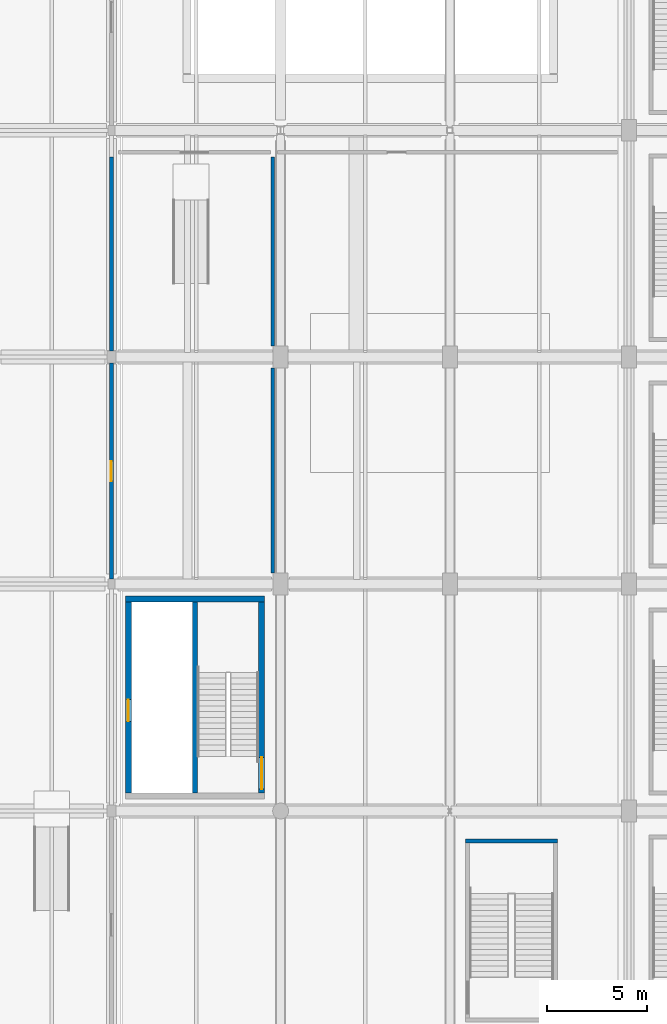
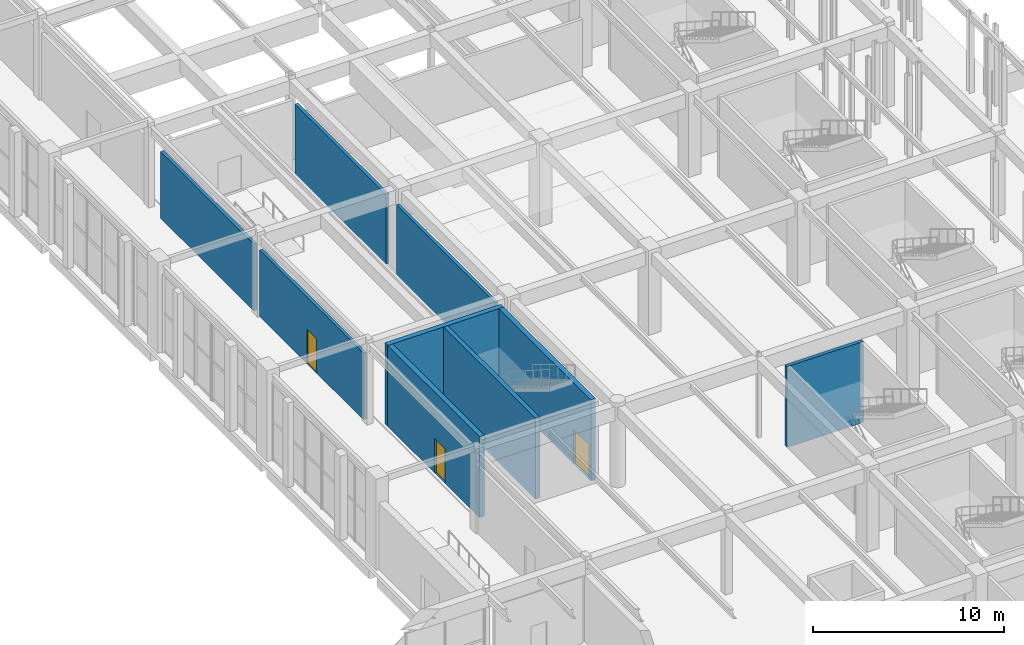
# One storey, part 87 of 113: 9 walls, 3 doors, 3 openings.
"""IFC4 building model written with IfcOpenShell, lengths in metres."""

from ifc_helpers import new_model, si_unit, direction, frame, frame_2d, origin, place, context, subcontext, project, spatial, rectangle, extrude, material, layer, layer_set, type_object, element, fill, save


model = new_model("IFC4")

# Units and contexts
model_context = context("Model", 3, precision=1e-05, world=origin(), true_north=direction((0.0, 1.0)))
body_context = subcontext(model_context, "Body", "Model", "MODEL_VIEW")
ifc_project = project(units=[si_unit("LENGTHUNIT", "METRE"), si_unit("AREAUNIT", "SQUARE_METRE"), si_unit("VOLUMEUNIT", "CUBIC_METRE"), si_unit("PLANEANGLEUNIT", "RADIAN"), si_unit("MASSUNIT", "GRAM", prefix="KILO"), si_unit("POWERUNIT", "WATT"), si_unit("THERMODYNAMICTEMPERATUREUNIT", "KELVIN")], contexts=[model_context])

# Site, building, storey
site_placement = place(None, origin())
site = spatial("IfcSite", under=ifc_project, at=site_placement, CompositionType="ELEMENT")
building_placement = place(site_placement, origin())
building = spatial("IfcBuilding", under=site, at=building_placement, Name="Kelmbourne Parkland Aquatics Centre", CompositionType="ELEMENT")
storey_placement = place(building_placement, origin())
storey = spatial("IfcBuildingStorey", under=building, at=storey_placement, Name="L00", CompositionType="ELEMENT", Elevation=0.0)

# Walls
ifc_material_1 = material(Name="Concrete C40/50", Category="concrete")
ifc_layer_1 = layer(ifc_material_1, 0.25)
ifc_layer_set_1 = layer_set([ifc_layer_1], Name="Concrete C40/50")
wall_type_1 = type_object("IfcWallType", Name="W-CORE-250", PredefinedType="SHEAR", material=ifc_layer_set_1)
wall_1_placement = place(storey_placement, frame((106.199951171875, 35.89990234375, 0.0), z_axis=(0.0, 0.0, 1.0), x_axis=(0.0, 1.0, 0.0)))
element("IfcWall", 1, at=wall_1_placement, inside=storey, type_object=wall_type_1, Name="East Spine Club and Village Core divider wall (L00)", PredefinedType="SHEAR", context=body_context, shape_type="SweptSolid", body=[
    extrude(rectangle(XDim=9.60009765625, YDim=0.25, at=frame_2d((4.800048828125, 0.0))), origin(), (0.0, 0.0, 1.0), 5.159912109375),
])
ifc_layer_2 = layer(ifc_material_1, 0.300048828125)
ifc_layer_set_2 = layer_set([ifc_layer_2], Name="Concrete C40/50")
wall_type_2 = type_object("IfcWallType", Name="W-CORE-300", PredefinedType="SHEAR", material=ifc_layer_set_2)
wall_2_placement = place(storey_placement, frame((102.699951171875, 45.64990234375, 0.0), z_axis=(0.0, 0.0, 1.0), x_axis=(1.0, 0.0, 0.0)))
element("IfcWall", 2, at=wall_2_placement, inside=storey, type_object=wall_type_2, Name="East Spine Club and Village Core north wall (L00)", PredefinedType="SHEAR", context=body_context, shape_type="SweptSolid", body=[
    extrude(rectangle(XDim=7.0, YDim=0.300048828125, at=frame_2d((3.5, 0.0))), origin(), (0.0, 0.0, 1.0), 5.159912109375),
])

# Wall, opening, door
wall_3_placement = place(storey_placement, frame((102.85009765625, 35.89990234375, 0.0), z_axis=(0.0, 0.0, 1.0), x_axis=(0.0, 1.0, 0.0)))
wall_3 = element("IfcWall", 3, at=wall_3_placement, inside=storey, type_object=wall_type_2, Name="East Spine Club and Village Core west wall (L00)", PredefinedType="SHEAR", context=body_context, shape_type="SweptSolid", body=[
    extrude(rectangle(XDim=9.60009765625, YDim=0.300048828125, at=frame_2d((4.800048828125, 0.0))), origin(), (0.0, 0.0, 1.0), 5.159912109375),
])
opening_1_placement = place(wall_3_placement, frame((3.60009765625, 0.0, 0.0)))
opening_1 = element("IfcOpeningElement", 4, at=opening_1_placement, cuts=wall_3, Name="Opening LD01", PredefinedType="OPENING", context=body_context, shape_type="SweptSolid", body=[
    extrude(rectangle(XDim=1.10009765625, YDim=2.199951171875, at=frame_2d((0.550048828125, 1.10009765625))), frame((0.0, 0.162109375, 0.0), z_axis=(0.0, -1.0, 0.0), x_axis=(1.0, 0.0, 0.0)), (0.0, 0.0, 1.0), 0.323974609375),
])
ifc_material_2 = material(Name="Marine-grade stainless steel and fire-rated hardwood doorset", Category="steel")
ifc_layer_3 = layer(ifc_material_2, 0.050048828125)
ifc_layer_set_3 = layer_set([ifc_layer_3], Name="Marine-grade stainless steel and fire-rated hardwood doorset")
door_type_1 = type_object("IfcDoorType", Name="DR-LD-110", OperationType="NOTDEFINED", PredefinedType="DOOR", material=ifc_layer_set_3)
door_1_placement = place(opening_1_placement, origin())
door_1 = element("IfcDoor", 5, at=door_1_placement, inside=storey, type_object=door_type_1, Name="Lift landing sliding door LF05 (L00)", OperationType="SLIDING_TO_LEFT", OverallHeight=2.199951171875, OverallWidth=1.10009765625, PredefinedType="DOOR", context=body_context, shape_type="SweptSolid", body=[
    extrude(rectangle(XDim=1.10009765625, YDim=2.199951171875, at=frame_2d((0.550048828125, 1.10009765625))), frame((0.0, 0.02490234375, 0.0), z_axis=(0.0, -1.0, 0.0), x_axis=(1.0, 0.0, 0.0)), (0.0, 0.0, 1.0), 0.050048828125),
])
fill(opening_1, door_1)

wall_4_placement = place(storey_placement, frame((109.550048828125, 35.89990234375, 0.0), z_axis=(0.0, 0.0, 1.0), x_axis=(0.0, 1.0, 0.0)))
wall_4 = element("IfcWall", 6, at=wall_4_placement, inside=storey, type_object=wall_type_2, Name="East Spine Club and Village Core east wall (L00)", PredefinedType="SHEAR", context=body_context, shape_type="SweptSolid", body=[
    extrude(rectangle(XDim=9.60009765625, YDim=0.300048828125, at=frame_2d((4.800048828125, 0.0))), origin(), (0.0, 0.0, 1.0), 5.159912109375),
])
opening_2_placement = place(wall_4_placement, frame((0.199951171875, 0.0, 0.0)))
opening_2 = element("IfcOpeningElement", 7, at=opening_2_placement, cuts=wall_4, Name="Opening FD02", PredefinedType="OPENING", context=body_context, shape_type="SweptSolid", body=[
    extrude(rectangle(XDim=1.60009765625, YDim=2.199951171875, at=frame_2d((0.800048828125, 1.10009765625))), frame((0.0, 0.162109375, 0.0), z_axis=(0.0, -1.0, 0.0), x_axis=(1.0, 0.0, 0.0)), (0.0, 0.0, 1.0), 0.323974609375),
])
ifc_layer_4 = layer(ifc_material_2, 0.050048828125)
ifc_layer_set_4 = layer_set([ifc_layer_4], Name="Marine-grade stainless steel and fire-rated hardwood doorset")
door_type_2 = type_object("IfcDoorType", Name="DR-FD-160", OperationType="NOTDEFINED", PredefinedType="DOOR", material=ifc_layer_set_4)
door_2_placement = place(opening_2_placement, frame((1.60009765625, 0.0, 0.0), z_axis=(0.0, 0.0, 1.0), x_axis=(-1.0, 0.0, 0.0)))
door_2 = element("IfcDoor", 8, at=door_2_placement, inside=storey, type_object=door_type_2, Name="Fire stair door ST04 (L00)", OperationType="DOUBLE_DOOR_SINGLE_SWING", OverallHeight=2.199951171875, OverallWidth=1.60009765625, PredefinedType="DOOR", context=body_context, shape_type="SweptSolid", body=[
    extrude(rectangle(XDim=1.60009765625, YDim=2.199951171875, at=frame_2d((0.800048828125, 1.10009765625))), frame((0.0, 0.02490234375, 0.0), z_axis=(0.0, -1.0, 0.0), x_axis=(1.0, 0.0, 0.0)), (0.0, 0.0, 1.0), 0.050048828125),
])
fill(opening_2, door_2)

# Wall
ifc_material_3 = material(Name="Concrete blockwork C32/40", Category="masonry")
ifc_layer_5 = layer(ifc_material_3, 0.199951171875)
ifc_layer_set_5 = layer_set([ifc_layer_5], Name="Concrete blockwork C32/40")
wall_type_3 = type_object("IfcWallType", Name="W-FIRE-200", PredefinedType="SOLIDWALL", material=ifc_layer_set_5)
wall_5_placement = place(storey_placement, frame((119.800048828125, 33.5, 0.0), z_axis=(0.0, 0.0, 1.0), x_axis=(1.0, 0.0, 0.0)))
element("IfcWall", 9, at=wall_5_placement, inside=storey, type_object=wall_type_3, Name="East Club Terrace Exit Stair north enclosure (L00)", PredefinedType="SOLIDWALL", context=body_context, shape_type="SweptSolid", body=[
    extrude(rectangle(XDim=4.599853515625, YDim=0.199951171875, at=frame_2d((2.2998046875, 0.0))), origin(), (0.0, 0.0, 1.0), 5.159912109375),
])

# Wall, opening, door
ifc_layer_6 = layer(ifc_material_3, 0.18994140625)
ifc_layer_set_6 = layer_set([ifc_layer_6], Name="Concrete blockwork C32/40")
wall_type_4 = type_object("IfcWallType", Name="W-SOLID-190", PredefinedType="SOLIDWALL", material=ifc_layer_set_6)
wall_6_placement = place(storey_placement, frame((102.0, 46.652099609375, 0.0), z_axis=(0.0, 0.0, 1.0), x_axis=(0.0, 1.0, 0.0)))
wall_6 = element("IfcWall", 10, at=wall_6_placement, inside=storey, type_object=wall_type_4, Name="Interior partition PT-L00-041", PredefinedType="SOLIDWALL", context=body_context, shape_type="SweptSolid", body=[
    extrude(rectangle(XDim=10.845947265625, YDim=0.18994140625, at=frame_2d((5.4228515625, 0.0))), origin(), (0.0, 0.0, 1.0), 4.2451171875),
])
opening_3_placement = place(wall_6_placement, frame((4.923095703125, 0.0, 0.0)))
opening_3 = element("IfcOpeningElement", 11, at=opening_3_placement, cuts=wall_6, Name="Opening FD04", PredefinedType="OPENING", context=body_context, shape_type="SweptSolid", body=[
    extrude(rectangle(XDim=1.0, YDim=2.199951171875, at=frame_2d((0.5, 1.10009765625))), frame((0.0, 0.10693359375, 0.0), z_axis=(0.0, -1.0, 0.0), x_axis=(1.0, 0.0, 0.0)), (0.0, 0.0, 1.0), 0.2138671875),
])
ifc_layer_7 = layer(ifc_material_2, 0.050048828125)
ifc_layer_set_7 = layer_set([ifc_layer_7], Name="Marine-grade stainless steel and fire-rated hardwood doorset")
door_type_3 = type_object("IfcDoorType", Name="DR-FD-100", OperationType="NOTDEFINED", PredefinedType="DOOR", material=ifc_layer_set_7)
door_3_placement = place(opening_3_placement, origin())
door_3 = element("IfcDoor", 12, at=door_3_placement, inside=storey, type_object=door_type_3, Name="Interior door FD04 (L00-024)", OperationType="SINGLE_SWING_RIGHT", OverallHeight=2.199951171875, OverallWidth=1.0, PredefinedType="DOOR", context=body_context, shape_type="SweptSolid", body=[
    extrude(rectangle(XDim=1.0, YDim=2.199951171875, at=frame_2d((0.5, 1.10009765625))), frame((0.0, 0.02490234375, 0.0), z_axis=(0.0, -1.0, 0.0), x_axis=(1.0, 0.0, 0.0)), (0.0, 0.0, 1.0), 0.050048828125),
])
fill(opening_3, door_3)

# Walls
wall_7_placement = place(storey_placement, frame((102.0, 58.10205078125, 0.0), z_axis=(0.0, 0.0, 1.0), x_axis=(0.0, 1.0, 0.0)))
element("IfcWall", 13, at=wall_7_placement, inside=storey, type_object=wall_type_4, Name="Interior partition PT-L00-042", PredefinedType="SOLIDWALL", context=body_context, shape_type="SweptSolid", body=[
    extrude(rectangle(XDim=9.748046875, YDim=0.18994140625, at=frame_2d((4.8740234375, 0.0))), origin(), (0.0, 0.0, 1.0), 4.2451171875),
])
wall_8_placement = place(storey_placement, frame((110.10009765625, 46.951904296875, 0.0), z_axis=(0.0, 0.0, 1.0), x_axis=(0.0, 1.0, 0.0)))
element("IfcWall", 14, at=wall_8_placement, inside=storey, type_object=wall_type_4, Name="Interior partition PT-L00-054", PredefinedType="SOLIDWALL", context=body_context, shape_type="SweptSolid", body=[
    extrude(rectangle(XDim=10.296142578125, YDim=0.18994140625, at=frame_2d((5.14794921875, 0.0))), origin(), (0.0, 0.0, 1.0), 4.445068359375),
])
wall_9_placement = place(storey_placement, frame((110.10009765625, 58.35205078125, 0.0), z_axis=(0.0, 0.0, 1.0), x_axis=(0.0, 1.0, 0.0)))
element("IfcWall", 15, at=wall_9_placement, inside=storey, type_object=wall_type_4, Name="Interior partition PT-L00-055", PredefinedType="SOLIDWALL", context=body_context, shape_type="SweptSolid", body=[
    extrude(rectangle(XDim=9.498046875, YDim=0.18994140625, at=frame_2d((4.7490234375, 0.0))), origin(), (0.0, 0.0, 1.0), 4.445068359375),
])

save(model, "model.ifc")
